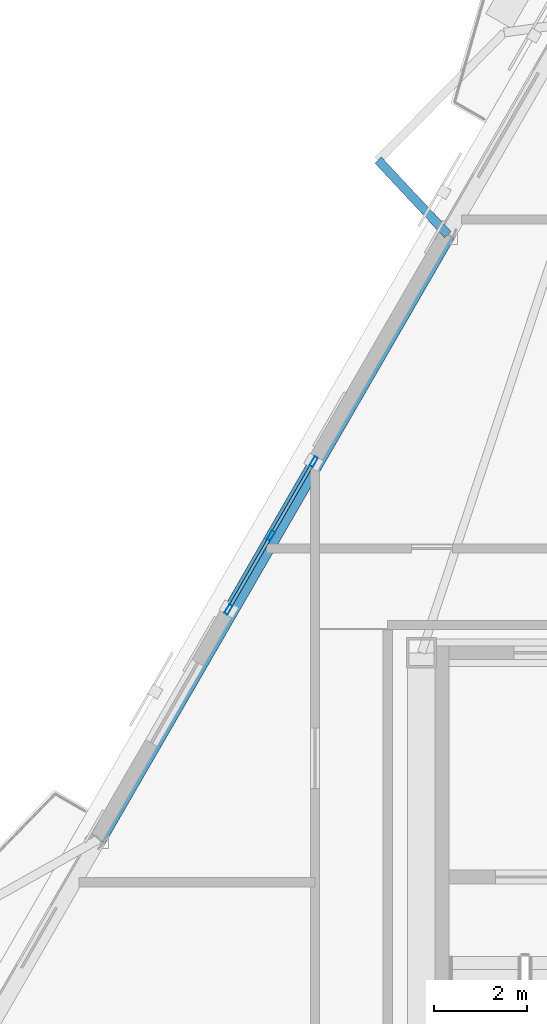
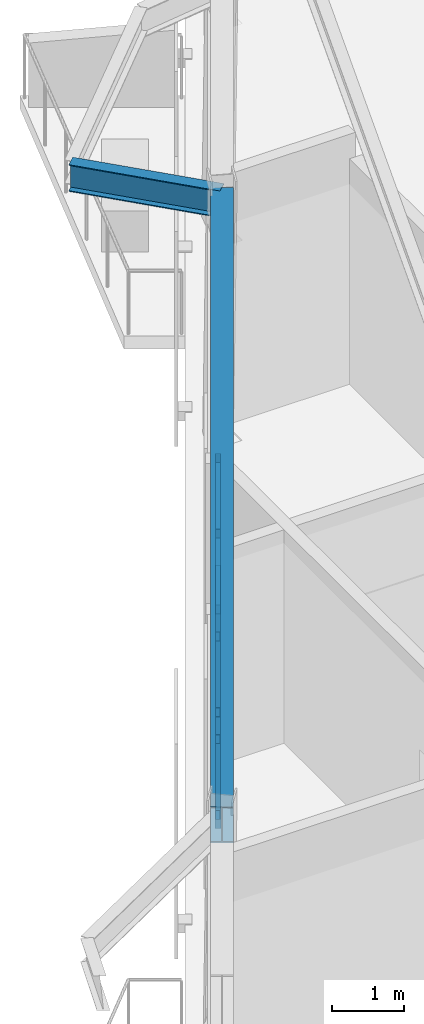
# One storey, part 4 of 16: 9 members, 2 beams, 1 element without a shape of its own.
"""IFC4 building model written with IfcOpenShell, lengths in metres."""

from ifc_helpers import new_model, si_unit, direction, frame, origin, origin_2d, place, context, subcontext, project, spatial, hollow_rectangle, i_section, extrude, material, layer, layer_set, material_profile, profile_set, type_object, element, aggregate, save


model = new_model("IFC4")

# Units and contexts
model_context = context("Model", 3, precision=1e-05, world=origin(), true_north=direction((0.0, 1.0)))
body_context = subcontext(model_context, "Body", "Model", "MODEL_VIEW")
ifc_project = project(units=[si_unit("LENGTHUNIT", "METRE"), si_unit("AREAUNIT", "SQUARE_METRE"), si_unit("VOLUMEUNIT", "CUBIC_METRE"), si_unit("PLANEANGLEUNIT", "RADIAN"), si_unit("MASSUNIT", "GRAM", prefix="KILO")], contexts=[model_context])

# Site, building, storey
site_placement = place(None, origin())
site = spatial("IfcSite", under=ifc_project, at=site_placement, CompositionType="ELEMENT")
building_placement = place(site_placement, origin())
building = spatial("IfcBuilding", under=site, at=building_placement, Name="Oramaril Tower", CompositionType="ELEMENT")
storey_placement = place(building_placement, frame((0.0, 0.0, 296.699951171875)))
storey = spatial("IfcBuildingStorey", under=building, at=storey_placement, Name="L78", CompositionType="ELEMENT", Elevation=296.699951171875)

# Beams
ifc_material_1 = material(Name="Steel ASTM A572 Gr 50", Category="steel")
ifc_material_profile_1 = material_profile(ifc_material_1, i_section(OverallWidth=0.19091796875, OverallDepth=0.45703125, WebThickness=0.009033203125, FlangeThickness=0.014404296875, at=origin_2d()), Name="W18X50")
ifc_profile_set_1 = profile_set([ifc_material_profile_1], Name="Steel ASTM A572 Gr 50")
beam_type_1 = type_object("IfcBeamType", Name="BT-BB1", PredefinedType="BEAM", material=ifc_profile_set_1)
beam_1_placement = place(storey_placement, frame((29.9189453125, 33.173583984375, 4.051513671875), z_axis=(-0.683111378964, 0.730314209043, 0.0), x_axis=(-0.730314209043, -0.683111378964, 0.0)))
element("IfcBeam", 1, at=beam_1_placement, inside=storey, type_object=beam_type_1, Name="L78 Balcony Column-Framed Cantilever 05.2", PredefinedType="BEAM", context=body_context, shape_type="SweptSolid", body=[
    extrude(i_section(OverallWidth=0.19091796875, OverallDepth=0.45703125, WebThickness=0.009033203125, FlangeThickness=0.014404296875, at=origin_2d()), origin(), (0.0, 0.0, 1.0), 2.203369140625),
])
ifc_material_2 = material(Name="Steel ASTM A572 Gr 50", Category="steel")
ifc_material_profile_2 = material_profile(ifc_material_2, i_section(OverallWidth=0.324951171875, OverallDepth=0.612060546875, WebThickness=0.0126953125, FlangeThickness=0.01904296875, at=origin_2d()), Name="W24X104")
ifc_profile_set_2 = profile_set([ifc_material_profile_2], Name="Steel ASTM A572 Gr 50")
beam_type_2 = type_object("IfcBeamType", Name="BT-SP5", PredefinedType="SPANDREL", material=ifc_profile_set_2)
beam_2_placement = place(storey_placement, frame((29.9189453125, 33.173583984375, 3.97412109375), z_axis=(-0.500000248185, -0.866025260495, 0.0), x_axis=(0.866025260495, -0.500000248185, 0.0)))
element("IfcBeam", 2, at=beam_2_placement, inside=storey, type_object=beam_type_2, Name="L78 Perimeter Spandrel 16", PredefinedType="SPANDREL", context=body_context, shape_type="SweptSolid", body=[
    extrude(i_section(OverallWidth=0.324951171875, OverallDepth=0.612060546875, WebThickness=0.0126953125, FlangeThickness=0.01904296875, at=origin_2d()), origin(), (0.0, 0.0, 1.0), 15.06298828125),
])

# Curtain wall, members
ifc_material_3 = material(Name="Anodised Aluminium 6063-T6", Category="aluminium")
ifc_layer = layer(ifc_material_3, 0.219970703125)
ifc_layer_set = layer_set([ifc_layer], Name="CWT-SYS5")
curtain_wall_type = type_object("IfcCurtainWallType", Name="CWT-SYS5", PredefinedType="NOTDEFINED", material=ifc_layer_set)
curtain_wall_placement = place(storey_placement, origin())
curtain_wall = element("IfcCurtainWall", 3, at=curtain_wall_placement, inside=storey, type_object=curtain_wall_type, Name="L78 Unitised Curtain Wall CW-5", PredefinedType="NOTDEFINED")
ifc_material_4 = material(Name="Anodised Aluminium 6063-T6", Category="aluminium")
ifc_material_profile_3 = material_profile(ifc_material_4, hollow_rectangle(XDim=0.080078125, YDim=0.219970703125, WallThickness=0.00390625, at=origin_2d()), Name="CWM220X80")
ifc_profile_set_3 = profile_set([ifc_material_profile_3], Name="Anodised Aluminium 6063-T6")
member_type_1 = type_object("IfcMemberType", Name="MT-CWM1", PredefinedType="MULLION", material=ifc_profile_set_3)
member_1_placement = place(storey_placement, frame((27.0244140625, 28.27294921875, 0.0), z_axis=(0.0, 0.0, 1.0), x_axis=(0.866025463091, -0.499999897278, 0.0)))
member_1 = element("IfcMember", 4, at=member_1_placement, type_object=member_type_1, Name="CW-5 mullion 1", PredefinedType="MULLION", context=body_context, shape_type="SweptSolid", body=[
    extrude(hollow_rectangle(XDim=0.080078125, YDim=0.219970703125, WallThickness=0.00390625, at=origin_2d()), origin(), (0.0, 0.0, 1.0), 3.657958984375),
])
member_2_placement = place(storey_placement, frame((26.1044921875, 26.679443359375, 0.0), z_axis=(0.0, 0.0, 1.0), x_axis=(0.866025463091, -0.499999897278, 0.0)))
member_2 = element("IfcMember", 5, at=member_2_placement, type_object=member_type_1, Name="CW-5 mullion 2", PredefinedType="MULLION", context=body_context, shape_type="SweptSolid", body=[
    extrude(hollow_rectangle(XDim=0.080078125, YDim=0.219970703125, WallThickness=0.00390625, at=origin_2d()), origin(), (0.0, 0.0, 1.0), 3.657958984375),
])
member_3_placement = place(storey_placement, frame((25.184326171875, 25.0859375, 0.0), z_axis=(0.0, 0.0, 1.0), x_axis=(0.866025463091, -0.499999897278, 0.0)))
member_3 = element("IfcMember", 6, at=member_3_placement, type_object=member_type_1, Name="CW-5 mullion 3", PredefinedType="MULLION", context=body_context, shape_type="SweptSolid", body=[
    extrude(hollow_rectangle(XDim=0.080078125, YDim=0.219970703125, WallThickness=0.00390625, at=origin_2d()), origin(), (0.0, 0.0, 1.0), 3.657958984375),
])
ifc_material_5 = material(Name="Anodised Aluminium 6063-T6", Category="aluminium")
ifc_material_profile_4 = material_profile(ifc_material_5, hollow_rectangle(XDim=0.070068359375, YDim=0.159912109375, WallThickness=0.00390625, at=origin_2d()), Name="CWT160X70")
ifc_profile_set_4 = profile_set([ifc_material_profile_4], Name="Anodised Aluminium 6063-T6")
member_type_2 = type_object("IfcMemberType", Name="MT-CWT1", PredefinedType="USERDEFINED", material=ifc_profile_set_4)
member_4_placement = place(storey_placement, frame((26.969482421875, 28.177490234375, 0.080078125), z_axis=(-0.500061642096, -0.865989811779, 0.0), x_axis=(0.865989811779, -0.500061642096, 0.0)))
member_4 = element("IfcMember", 7, at=member_4_placement, type_object=member_type_2, Name="CW-5 transom 1.1", ObjectType="TRANSOM", PredefinedType="USERDEFINED", context=body_context, shape_type="SweptSolid", body=[
    extrude(hollow_rectangle(XDim=0.070068359375, YDim=0.159912109375, WallThickness=0.00390625, at=origin_2d()), origin(), (0.0, 0.0, 1.0), 1.619873046875),
])
member_5_placement = place(storey_placement, frame((26.969482421875, 28.177490234375, 1.8291015625), z_axis=(-0.500061642096, -0.865989811779, 0.0), x_axis=(0.865989811779, -0.500061642096, 0.0)))
member_5 = element("IfcMember", 8, at=member_5_placement, type_object=member_type_2, Name="CW-5 transom 1.2", ObjectType="TRANSOM", PredefinedType="USERDEFINED", context=body_context, shape_type="SweptSolid", body=[
    extrude(hollow_rectangle(XDim=0.070068359375, YDim=0.159912109375, WallThickness=0.00390625, at=origin_2d()), origin(), (0.0, 0.0, 1.0), 1.619873046875),
])
member_6_placement = place(storey_placement, frame((26.969482421875, 28.177490234375, 3.578125), z_axis=(-0.500061642096, -0.865989811779, 0.0), x_axis=(0.865989811779, -0.500061642096, 0.0)))
member_6 = element("IfcMember", 9, at=member_6_placement, type_object=member_type_2, Name="CW-5 transom 1.3", ObjectType="TRANSOM", PredefinedType="USERDEFINED", context=body_context, shape_type="SweptSolid", body=[
    extrude(hollow_rectangle(XDim=0.070068359375, YDim=0.159912109375, WallThickness=0.00390625, at=origin_2d()), origin(), (0.0, 0.0, 1.0), 1.619873046875),
])
member_7_placement = place(storey_placement, frame((26.04931640625, 26.583984375, 0.080078125), z_axis=(-0.499948604784, -0.866055074793, 0.0), x_axis=(0.866055074793, -0.499948604784, 0.0)))
member_7 = element("IfcMember", 10, at=member_7_placement, type_object=member_type_2, Name="CW-5 transom 2.1", ObjectType="TRANSOM", PredefinedType="USERDEFINED", context=body_context, shape_type="SweptSolid", body=[
    extrude(hollow_rectangle(XDim=0.070068359375, YDim=0.159912109375, WallThickness=0.00390625, at=origin_2d()), origin(), (0.0, 0.0, 1.0), 1.619873046875),
])
member_8_placement = place(storey_placement, frame((26.04931640625, 26.583984375, 1.8291015625), z_axis=(-0.499948604784, -0.866055074793, 0.0), x_axis=(0.866055074793, -0.499948604784, 0.0)))
member_8 = element("IfcMember", 11, at=member_8_placement, type_object=member_type_2, Name="CW-5 transom 2.2", ObjectType="TRANSOM", PredefinedType="USERDEFINED", context=body_context, shape_type="SweptSolid", body=[
    extrude(hollow_rectangle(XDim=0.070068359375, YDim=0.159912109375, WallThickness=0.00390625, at=origin_2d()), origin(), (0.0, 0.0, 1.0), 1.619873046875),
])
member_9_placement = place(storey_placement, frame((26.04931640625, 26.583984375, 3.578125), z_axis=(-0.499948604784, -0.866055074793, 0.0), x_axis=(0.866055074793, -0.499948604784, 0.0)))
member_9 = element("IfcMember", 12, at=member_9_placement, type_object=member_type_2, Name="CW-5 transom 2.3", ObjectType="TRANSOM", PredefinedType="USERDEFINED", context=body_context, shape_type="SweptSolid", body=[
    extrude(hollow_rectangle(XDim=0.070068359375, YDim=0.159912109375, WallThickness=0.00390625, at=origin_2d()), origin(), (0.0, 0.0, 1.0), 1.619873046875),
])
aggregate(curtain_wall, [member_1, member_2, member_3, member_4, member_5, member_6, member_7, member_8, member_9])

save(model, "model.ifc")
